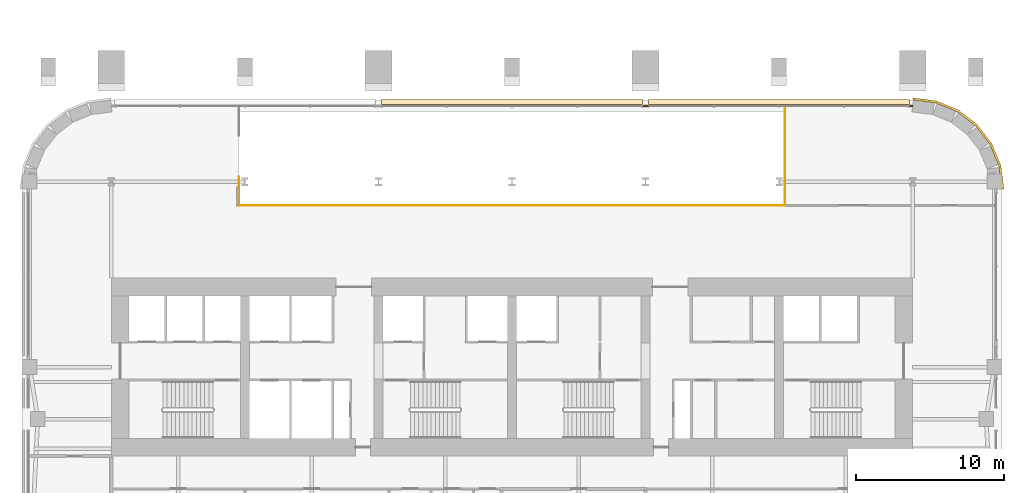
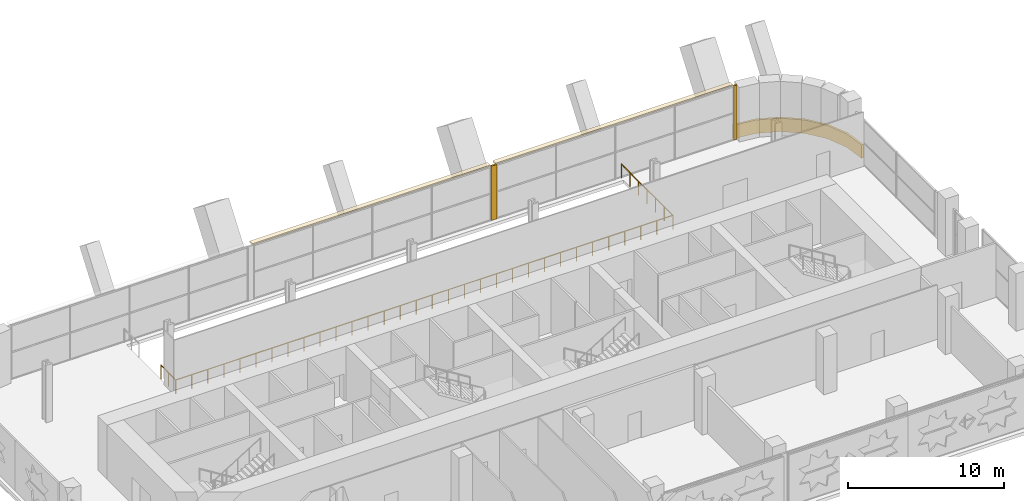
# One storey, part 20 of 21: 5 coverings, 1 railing.
"""IFC4 building model written with IfcOpenShell, lengths in metres."""

from ifc_helpers import new_model, si_unit, direction, frame, origin, origin_2d, place, context, subcontext, project, spatial, polyline, rectangle, circle, outline, extrude, material, layer, layer_set, type_object, element, save


model = new_model("IFC4")

# Units and contexts
model_context = context("Model", 3, precision=1e-05, world=origin(), true_north=direction((0.0, 1.0)))
body_context = subcontext(model_context, "Body", "Model", "MODEL_VIEW")
ifc_project = project(units=[si_unit("LENGTHUNIT", "METRE"), si_unit("AREAUNIT", "SQUARE_METRE"), si_unit("VOLUMEUNIT", "CUBIC_METRE"), si_unit("PLANEANGLEUNIT", "RADIAN"), si_unit("MASSUNIT", "GRAM", prefix="KILO")], contexts=[model_context])

# Site, building, storey
site_placement = place(None, origin())
site = spatial("IfcSite", under=ifc_project, at=site_placement, CompositionType="ELEMENT")
building_placement = place(site_placement, origin())
building = spatial("IfcBuilding", under=site, at=building_placement, Name="Zellij Exchange Tower", CompositionType="ELEMENT")
storey_placement = place(building_placement, frame((0.0, 0.0, 43.5)))
storey = spatial("IfcBuildingStorey", under=building, at=storey_placement, Name="L07", CompositionType="ELEMENT", Elevation=43.5)

# Coverings
ifc_material_1 = material(Name="Limestone cladding", Category="masonry")
ifc_layer_1 = layer(ifc_material_1, 0.14990234375)
ifc_layer_set_1 = layer_set([ifc_layer_1], Name="Limestone cladding")
covering_type_1 = type_object("IfcCoveringType", Name="ENV-CV1 Stone spandrel band 150", PredefinedType="CLADDING", material=ifc_layer_set_1)
covering_1_placement = place(storey_placement, frame((0.0, 0.0, -0.25)))
element("IfcCovering", 1, at=covering_1_placement, inside=storey, type_object=covering_type_1, Name="Stone spandrel band", PredefinedType="CLADDING", context=body_context, shape_type="SweptSolid", body=[
    extrude(outline(polyline([(33.0, 4.0), (32.795654296875, 5.552978515625), (32.1962890625, 7.0), (31.24267578125, 8.24267578125), (30.0, 9.1962890625), (28.552978515625, 9.795654296875), (27.0, 10.0), (27.009765625, 10.14990234375), (28.592041015625, 9.941650390625), (30.07568359375, 9.3271484375), (31.349609375, 8.349609375), (32.3271484375, 7.07568359375), (32.941650390625, 5.592041015625), (33.14990234375, 4.009765625), (33.0, 4.0)])), origin(), (0.0, 0.0, 1.0), 1.050048828125),
])
ifc_layer_2 = layer(ifc_material_1, 0.1201171875)
ifc_layer_set_2 = layer_set([ifc_layer_2], Name="Limestone cladding")
covering_type_2 = type_object("IfcCoveringType", Name="ENV-CV18 Glazing closer 120", PredefinedType="CLADDING", material=ifc_layer_set_2)
covering_2_placement = place(storey_placement, frame((9.0, 9.60009765625, 0.0), z_axis=(0.0, 0.0, 1.0), x_axis=(-1.0, 0.0, 0.0)))
element("IfcCovering", 2, at=covering_2_placement, inside=storey, type_object=covering_type_2, Name="Glazing closer", PredefinedType="CLADDING", context=body_context, shape_type="SweptSolid", body=[
    extrude(rectangle(XDim=0.39990234375, YDim=0.1201171875, at=origin_2d()), origin(), (0.0, 0.0, 1.0), 4.25),
])
covering_3_placement = place(storey_placement, frame((26.883056640625, 9.60009765625, 0.0), z_axis=(0.0, 0.0, 1.0), x_axis=(1.0, 0.0, 0.0)))
element("IfcCovering", 3, at=covering_3_placement, inside=storey, type_object=covering_type_2, Name="Glazing closer", PredefinedType="CLADDING", context=body_context, shape_type="SweptSolid", body=[
    extrude(rectangle(XDim=0.218505859375, YDim=0.1201171875, at=origin_2d()), origin(), (0.0, 0.0, 1.0), 4.25),
])
ifc_material_2 = material(Name="Limestone sunshade", Category="masonry")
ifc_layer_3 = layer(ifc_material_2, 0.1201171875)
ifc_layer_set_3 = layer_set([ifc_layer_3], Name="Limestone sunshade")
covering_type_3 = type_object("IfcCoveringType", Name="ENV-SC2 Stone sunshade 120", PredefinedType="USERDEFINED", material=ifc_layer_set_3)
covering_4_placement = place(storey_placement, frame((0.0, 0.0, 4.1298828125)))
element("IfcCovering", 4, at=covering_4_placement, inside=storey, type_object=covering_type_3, Name="Stone sunshade", ObjectType="SUNSHADE", PredefinedType="USERDEFINED", context=body_context, shape_type="SweptSolid", body=[
    extrude(outline(polyline([(26.773681640625, 9.699951171875), (9.199951171875, 9.699951171875), (9.199951171875, 10.050048828125), (26.773681640625, 10.050048828125), (26.773681640625, 9.699951171875)])), origin(), (0.0, 0.0, 1.0), 0.1201171875),
])
covering_5_placement = place(storey_placement, frame((0.0, 0.0, 4.1298828125)))
element("IfcCovering", 5, at=covering_5_placement, inside=storey, type_object=covering_type_3, Name="Stone sunshade", ObjectType="SUNSHADE", PredefinedType="USERDEFINED", context=body_context, shape_type="SweptSolid", body=[
    extrude(outline(polyline([(8.800048828125, 9.699951171875), (-8.800048828125, 9.699951171875), (-8.800048828125, 10.050048828125), (8.800048828125, 10.050048828125), (8.800048828125, 9.699951171875)])), origin(), (0.0, 0.0, 1.0), 0.1201171875),
])

# Railing
ifc_material_3 = material(Name="Steel and glass guard", Category="steel")
railing_type = type_object("IfcRailingType", Name="FIT-GUARD-1100", PredefinedType="GUARDRAIL", material=ifc_material_3)
railing_placement = place(storey_placement, frame((-18.39990234375, 4.800048828125, 0.0)))
element("IfcRailing", 6, at=railing_placement, inside=storey, type_object=railing_type, Name="Atrium guard 002", PredefinedType="GUARDRAIL", context=body_context, shape_type="SweptSolid", body=[
    extrude(circle(Radius=0.02490234375, at=origin_2d()), frame((0.0, 0.0, 1.0751953125), z_axis=(0.0, -1.0, 0.0), x_axis=(1.0, 0.0, 0.0)), (0.0, 0.0, 1.0), 1.900146484375),
    extrude(circle(Radius=0.02490234375, at=origin_2d()), frame((0.0, -1.900146484375, 1.0751953125), z_axis=(1.0, 0.0, 0.0), x_axis=(0.0, 1.0, 0.0)), (0.0, 0.0, 1.0), 36.7998046875),
    extrude(circle(Radius=0.02490234375, at=origin_2d()), frame((36.7998046875, -1.900146484375, 1.0751953125), z_axis=(0.0, 1.0, 0.0), x_axis=(-1.0, 0.0, 0.0)), (0.0, 0.0, 1.0), 6.60009765625),
    extrude(circle(Radius=0.02001953125, at=origin_2d()), origin(), (0.0, 0.0, 1.0), 1.050048828125),
    extrude(circle(Radius=0.02001953125, at=origin_2d()), frame((0.0, -0.9501953125, 0.0)), (0.0, 0.0, 1.0), 1.050048828125),
    extrude(circle(Radius=0.02001953125, at=origin_2d()), frame((0.0, -1.900146484375, 0.0)), (0.0, 0.0, 1.0), 1.050048828125),
    extrude(circle(Radius=0.02001953125, at=origin_2d()), frame((1.18701171875, -1.900146484375, 0.0)), (0.0, 0.0, 1.0), 1.050048828125),
    extrude(circle(Radius=0.02001953125, at=origin_2d()), frame((2.374267578125, -1.900146484375, 0.0)), (0.0, 0.0, 1.0), 1.050048828125),
    extrude(circle(Radius=0.02001953125, at=origin_2d()), frame((3.561279296875, -1.900146484375, 0.0)), (0.0, 0.0, 1.0), 1.050048828125),
    extrude(circle(Radius=0.02001953125, at=origin_2d()), frame((4.748291015625, -1.900146484375, 0.0)), (0.0, 0.0, 1.0), 1.050048828125),
    extrude(circle(Radius=0.02001953125, at=origin_2d()), frame((5.935546875, -1.900146484375, 0.0)), (0.0, 0.0, 1.0), 1.050048828125),
    extrude(circle(Radius=0.02001953125, at=origin_2d()), frame((7.12255859375, -1.900146484375, 0.0)), (0.0, 0.0, 1.0), 1.050048828125),
    extrude(circle(Radius=0.02001953125, at=origin_2d()), frame((8.3095703125, -1.900146484375, 0.0)), (0.0, 0.0, 1.0), 1.050048828125),
    extrude(circle(Radius=0.02001953125, at=origin_2d()), frame((9.496826171875, -1.900146484375, 0.0)), (0.0, 0.0, 1.0), 1.050048828125),
    extrude(circle(Radius=0.02001953125, at=origin_2d()), frame((10.683837890625, -1.900146484375, 0.0)), (0.0, 0.0, 1.0), 1.050048828125),
    extrude(circle(Radius=0.02001953125, at=origin_2d()), frame((11.870849609375, -1.900146484375, 0.0)), (0.0, 0.0, 1.0), 1.050048828125),
    extrude(circle(Radius=0.02001953125, at=origin_2d()), frame((13.05810546875, -1.900146484375, 0.0)), (0.0, 0.0, 1.0), 1.050048828125),
    extrude(circle(Radius=0.02001953125, at=origin_2d()), frame((14.2451171875, -1.900146484375, 0.0)), (0.0, 0.0, 1.0), 1.050048828125),
    extrude(circle(Radius=0.02001953125, at=origin_2d()), frame((15.43212890625, -1.900146484375, 0.0)), (0.0, 0.0, 1.0), 1.050048828125),
    extrude(circle(Radius=0.02001953125, at=origin_2d()), frame((16.619384765625, -1.900146484375, 0.0)), (0.0, 0.0, 1.0), 1.050048828125),
    extrude(circle(Radius=0.02001953125, at=origin_2d()), frame((17.806396484375, -1.900146484375, 0.0)), (0.0, 0.0, 1.0), 1.050048828125),
    extrude(circle(Radius=0.02001953125, at=origin_2d()), frame((18.993408203125, -1.900146484375, 0.0)), (0.0, 0.0, 1.0), 1.050048828125),
    extrude(circle(Radius=0.02001953125, at=origin_2d()), frame((20.180419921875, -1.900146484375, 0.0)), (0.0, 0.0, 1.0), 1.050048828125),
    extrude(circle(Radius=0.02001953125, at=origin_2d()), frame((21.36767578125, -1.900146484375, 0.0)), (0.0, 0.0, 1.0), 1.050048828125),
    extrude(circle(Radius=0.02001953125, at=origin_2d()), frame((22.5546875, -1.900146484375, 0.0)), (0.0, 0.0, 1.0), 1.050048828125),
    extrude(circle(Radius=0.02001953125, at=origin_2d()), frame((23.74169921875, -1.900146484375, 0.0)), (0.0, 0.0, 1.0), 1.050048828125),
    extrude(circle(Radius=0.02001953125, at=origin_2d()), frame((24.928955078125, -1.900146484375, 0.0)), (0.0, 0.0, 1.0), 1.050048828125),
    extrude(circle(Radius=0.02001953125, at=origin_2d()), frame((26.115966796875, -1.900146484375, 0.0)), (0.0, 0.0, 1.0), 1.050048828125),
    extrude(circle(Radius=0.02001953125, at=origin_2d()), frame((27.302978515625, -1.900146484375, 0.0)), (0.0, 0.0, 1.0), 1.050048828125),
    extrude(circle(Radius=0.02001953125, at=origin_2d()), frame((28.490234375, -1.900146484375, 0.0)), (0.0, 0.0, 1.0), 1.050048828125),
    extrude(circle(Radius=0.02001953125, at=origin_2d()), frame((29.67724609375, -1.900146484375, 0.0)), (0.0, 0.0, 1.0), 1.050048828125),
    extrude(circle(Radius=0.02001953125, at=origin_2d()), frame((30.8642578125, -1.900146484375, 0.0)), (0.0, 0.0, 1.0), 1.050048828125),
    extrude(circle(Radius=0.02001953125, at=origin_2d()), frame((32.051513671875, -1.900146484375, 0.0)), (0.0, 0.0, 1.0), 1.050048828125),
    extrude(circle(Radius=0.02001953125, at=origin_2d()), frame((33.238525390625, -1.900146484375, 0.0)), (0.0, 0.0, 1.0), 1.050048828125),
    extrude(circle(Radius=0.02001953125, at=origin_2d()), frame((34.425537109375, -1.900146484375, 0.0)), (0.0, 0.0, 1.0), 1.050048828125),
    extrude(circle(Radius=0.02001953125, at=origin_2d()), frame((35.61279296875, -1.900146484375, 0.0)), (0.0, 0.0, 1.0), 1.050048828125),
    extrude(circle(Radius=0.02001953125, at=origin_2d()), frame((36.7998046875, -1.900146484375, 0.0)), (0.0, 0.0, 1.0), 1.050048828125),
    extrude(circle(Radius=0.02001953125, at=origin_2d()), frame((36.7998046875, -0.800048828125, 0.0)), (0.0, 0.0, 1.0), 1.050048828125),
    extrude(circle(Radius=0.02001953125, at=origin_2d()), frame((36.7998046875, 0.2998046875, 0.0)), (0.0, 0.0, 1.0), 1.050048828125),
    extrude(circle(Radius=0.02001953125, at=origin_2d()), frame((36.7998046875, 1.39990234375, 0.0)), (0.0, 0.0, 1.0), 1.050048828125),
    extrude(circle(Radius=0.02001953125, at=origin_2d()), frame((36.7998046875, 2.5, 0.0)), (0.0, 0.0, 1.0), 1.050048828125),
    extrude(circle(Radius=0.02001953125, at=origin_2d()), frame((36.7998046875, 3.599853515625, 0.0)), (0.0, 0.0, 1.0), 1.050048828125),
    extrude(circle(Radius=0.02001953125, at=origin_2d()), frame((36.7998046875, 4.699951171875, 0.0)), (0.0, 0.0, 1.0), 1.050048828125),
])

save(model, "model.ifc")
